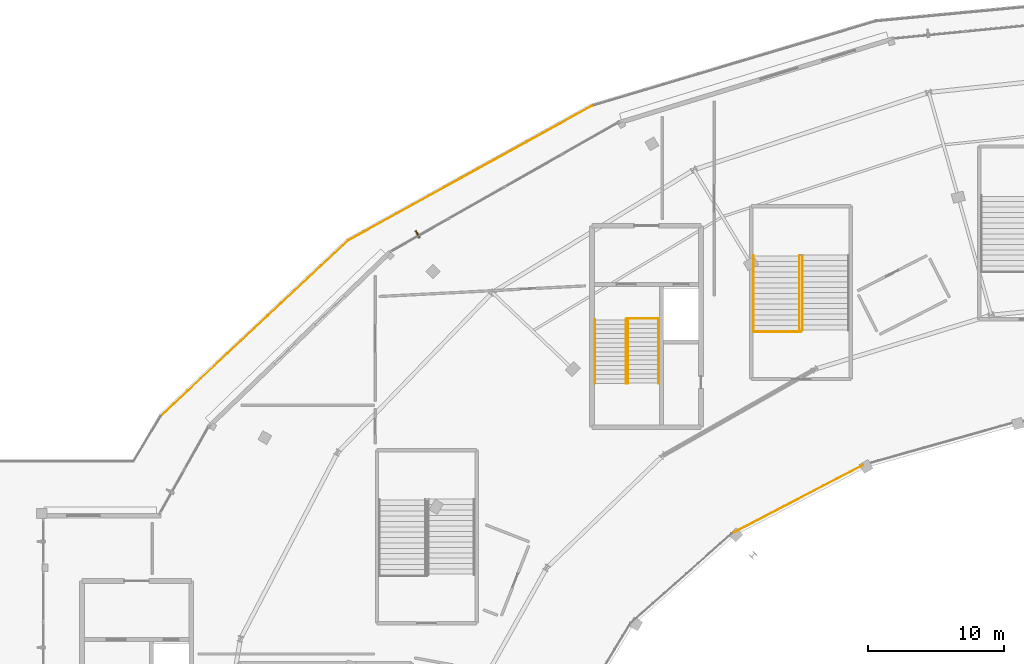
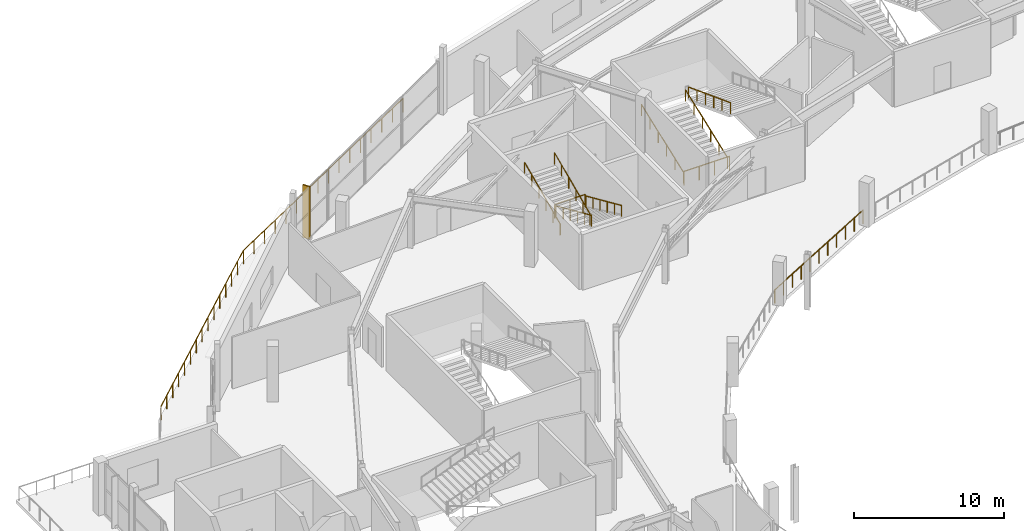
# One storey, part 113 of 123: 12 railings, 1 shading device.
"""IFC4 building model written with IfcOpenShell, lengths in metres."""

from ifc_helpers import new_model, si_unit, direction, frame, origin, origin_2d, place, context, subcontext, project, spatial, rectangle, circle, extrude, material, layer, layer_set, type_object, element, save


model = new_model("IFC4")

# Units and contexts
model_context = context("Model", 3, precision=1e-05, world=origin(), true_north=direction((0.0, 1.0)))
body_context = subcontext(model_context, "Body", "Model", "MODEL_VIEW")
ifc_project = project(units=[si_unit("LENGTHUNIT", "METRE"), si_unit("AREAUNIT", "SQUARE_METRE"), si_unit("VOLUMEUNIT", "CUBIC_METRE"), si_unit("PLANEANGLEUNIT", "RADIAN"), si_unit("MASSUNIT", "GRAM", prefix="KILO")], contexts=[model_context])

# Site, building, storey
site_placement = place(None, origin())
site = spatial("IfcSite", under=ifc_project, at=site_placement, CompositionType="ELEMENT")
building_placement = place(site_placement, origin())
building = spatial("IfcBuilding", under=site, at=building_placement, Name="Kalgoora Escarpment Arena", CompositionType="ELEMENT")
storey_placement = place(building_placement, frame((0.0, 0.0, 9.89990234375)))
storey = spatial("IfcBuildingStorey", under=building, at=storey_placement, Name="L02", CompositionType="ELEMENT", Elevation=9.89990234375)

# Railings
ifc_material_1 = material(Name="Galvanised & powdercoated tubular steel", Category="steel")
railing_type_1 = type_object("IfcRailingType", Name="RAL-GUARD-1120", PredefinedType="GUARDRAIL", material=ifc_material_1)
railing_1_placement = place(storey_placement, frame((53.889892578125, 102.389892578125, 0.0)))
element("IfcRailing", 1, at=railing_1_placement, inside=storey, type_object=railing_type_1, Name="ST03 L02 floor landing well guard", PredefinedType="GUARDRAIL", context=body_context, shape_type="SweptSolid", body=[
    extrude(circle(Radius=0.02392578125, at=origin_2d()), frame((0.0, 0.0, 1.09619140625), z_axis=(-1.0, 0.0, 0.0), x_axis=(0.0, -1.0, 0.0)), (0.0, 0.0, 1.0), 2.33984375),
    extrude(circle(Radius=0.02099609375, at=origin_2d()), origin(), (0.0, 0.0, 1.0), 1.072021484375),
    extrude(circle(Radius=0.02099609375, at=origin_2d()), frame((-1.169921875, 0.0, 0.0)), (0.0, 0.0, 1.0), 1.072021484375),
    extrude(circle(Radius=0.02099609375, at=origin_2d()), frame((-2.33984375, 0.0, 0.0)), (0.0, 0.0, 1.0), 1.072021484375),
])
railing_2_placement = place(storey_placement, frame((60.909912109375, 101.409912109375, 0.0)))
element("IfcRailing", 2, at=railing_2_placement, inside=storey, type_object=railing_type_1, Name="ST09 L02 floor landing well guard", PredefinedType="GUARDRAIL", context=body_context, shape_type="SweptSolid", body=[
    extrude(circle(Radius=0.02392578125, at=origin_2d()), frame((0.0, 0.0, 1.09619140625), z_axis=(1.0, 0.0, 0.0), x_axis=(0.0, 1.0, 0.0)), (0.0, 0.0, 1.0), 3.489990234375),
    extrude(circle(Radius=0.02099609375, at=origin_2d()), origin(), (0.0, 0.0, 1.0), 1.072021484375),
    extrude(circle(Radius=0.02099609375, at=origin_2d()), frame((1.163330078125, 0.0, 0.0)), (0.0, 0.0, 1.0), 1.072021484375),
    extrude(circle(Radius=0.02099609375, at=origin_2d()), frame((2.32666015625, 0.0, 0.0)), (0.0, 0.0, 1.0), 1.072021484375),
    extrude(circle(Radius=0.02099609375, at=origin_2d()), frame((3.489990234375, 0.0, 0.0)), (0.0, 0.0, 1.0), 1.072021484375),
])
railing_3_placement = place(storey_placement, frame((68.97509765625, 91.5830078125, 0.0)))
element("IfcRailing", 3, at=railing_3_placement, inside=storey, type_object=railing_type_1, Name="L02 concourse bowl balustrade 09", PredefinedType="GUARDRAIL", context=body_context, shape_type="SweptSolid", body=[
    extrude(circle(Radius=0.02392578125, at=origin_2d()), frame((0.0, 0.0, 1.09619140625), z_axis=(-0.886621438299, -0.462495865007, 0.0), x_axis=(0.462495865007, -0.886621438299, 0.0)), (0.0, 0.0, 1.0), 10.94384765625),
    extrude(circle(Radius=0.02099609375, at=origin_2d()), origin(), (0.0, 0.0, 1.0), 1.072021484375),
    extrude(circle(Radius=0.02099609375, at=origin_2d()), frame((-0.97021484375, -0.506103515625, 0.0)), (0.0, 0.0, 1.0), 1.072021484375),
    extrude(circle(Radius=0.02099609375, at=origin_2d()), frame((-1.940673828125, -1.01220703125, 0.0)), (0.0, 0.0, 1.0), 1.072021484375),
    extrude(circle(Radius=0.02099609375, at=origin_2d()), frame((-2.910888671875, -1.5185546875, 0.0)), (0.0, 0.0, 1.0), 1.072021484375),
    extrude(circle(Radius=0.02099609375, at=origin_2d()), frame((-3.88134765625, -2.024658203125, 0.0)), (0.0, 0.0, 1.0), 1.072021484375),
    extrude(circle(Radius=0.02099609375, at=origin_2d()), frame((-4.8515625, -2.53076171875, 0.0)), (0.0, 0.0, 1.0), 1.072021484375),
    extrude(circle(Radius=0.02099609375, at=origin_2d()), frame((-5.82177734375, -3.036865234375, 0.0)), (0.0, 0.0, 1.0), 1.072021484375),
    extrude(circle(Radius=0.02099609375, at=origin_2d()), frame((-6.792236328125, -3.54296875, 0.0)), (0.0, 0.0, 1.0), 1.072021484375),
    extrude(circle(Radius=0.02099609375, at=origin_2d()), frame((-7.762451171875, -4.04931640625, 0.0)), (0.0, 0.0, 1.0), 1.072021484375),
    extrude(circle(Radius=0.02099609375, at=origin_2d()), frame((-8.73291015625, -4.555419921875, 0.0)), (0.0, 0.0, 1.0), 1.072021484375),
    extrude(circle(Radius=0.02099609375, at=origin_2d()), frame((-9.703125, -5.0615234375, 0.0)), (0.0, 0.0, 1.0), 1.072021484375),
])
ifc_material_2 = material(Name="Brushed stainless steel 316 handrail", Category="steel")
railing_type_2 = type_object("IfcRailingType", Name="RAL-HAND-920", PredefinedType="HANDRAIL", material=ifc_material_2)
for number, where, name in (
    (4, (53.89990234375, 102.31005859375, 0.110107421875), "ST03 L02 pitched stair handrail F1L"),
    (5, (51.610107421875, 102.31005859375, 0.110107421875), "ST03 L02 pitched stair handrail F1R"),
):
    element("IfcRailing", number, at=place(storey_placement, frame(where)), inside=storey, type_object=railing_type_2, Name=name, PredefinedType="HANDRAIL", context=body_context, shape_type="SweptSolid", body=[
        extrude(circle(Radius=0.02392578125, at=origin_2d()), frame((0.0, 0.0, 0.89599609375), z_axis=(0.0, -0.913643874524, 0.406515523129), x_axis=(1.0, 0.0, 0.0)), (0.0, 0.0, 1.0), 5.166015625),
        extrude(circle(Radius=0.02099609375, at=origin_2d()), origin(), (0.0, 0.0, 1.0), 0.871826171875),
        extrude(circle(Radius=0.02099609375, at=origin_2d()), frame((0.0, -0.944091796875, 0.419921875)), (0.0, 0.0, 1.0), 0.871826171875),
        extrude(circle(Radius=0.02099609375, at=origin_2d()), frame((0.0, -1.887939453125, 0.840087890625)), (0.0, 0.0, 1.0), 0.871826171875),
        extrude(circle(Radius=0.02099609375, at=origin_2d()), frame((0.0, -2.83203125, 1.260009765625)), (0.0, 0.0, 1.0), 0.871826171875),
        extrude(circle(Radius=0.02099609375, at=origin_2d()), frame((0.0, -3.77587890625, 1.68017578125)), (0.0, 0.0, 1.0), 0.871826171875),
        extrude(circle(Radius=0.02099609375, at=origin_2d()), frame((0.0, -4.719970703125, 2.10009765625)), (0.0, 0.0, 1.0), 0.871826171875),
    ])
for number, where, name in (
    (6, (51.489990234375, 97.590087890625, 2.360107421875), "ST03 L02 pitched stair handrail F2L"),
    (7, (49.199951171875, 97.590087890625, 2.360107421875), "ST03 L02 pitched stair handrail F2R"),
):
    element("IfcRailing", number, at=place(storey_placement, frame(where)), inside=storey, type_object=railing_type_2, Name=name, PredefinedType="HANDRAIL", context=body_context, shape_type="SweptSolid", body=[
        extrude(circle(Radius=0.02392578125, at=origin_2d()), frame((0.0, 0.0, 0.89599609375), z_axis=(0.0, 0.913643874524, 0.406515523129), x_axis=(-1.0, 0.0, 0.0)), (0.0, 0.0, 1.0), 5.166015625),
        extrude(circle(Radius=0.02099609375, at=origin_2d()), origin(), (0.0, 0.0, 1.0), 0.871826171875),
        extrude(circle(Radius=0.02099609375, at=origin_2d()), frame((0.0, 0.944091796875, 0.419921875)), (0.0, 0.0, 1.0), 0.871826171875),
        extrude(circle(Radius=0.02099609375, at=origin_2d()), frame((0.0, 1.887939453125, 0.840087890625)), (0.0, 0.0, 1.0), 0.871826171875),
        extrude(circle(Radius=0.02099609375, at=origin_2d()), frame((0.0, 2.83203125, 1.260009765625)), (0.0, 0.0, 1.0), 0.871826171875),
        extrude(circle(Radius=0.02099609375, at=origin_2d()), frame((0.0, 3.77587890625, 1.68017578125)), (0.0, 0.0, 1.0), 0.871826171875),
        extrude(circle(Radius=0.02099609375, at=origin_2d()), frame((0.0, 4.719970703125, 2.10009765625)), (0.0, 0.0, 1.0), 0.871826171875),
    ])
for number, where, name in (
    (8, (60.89990234375, 101.489990234375, 0.110107421875), "ST09 L02 pitched stair handrail F1L"),
    (9, (64.284912109375, 101.489990234375, 0.110107421875), "ST09 L02 pitched stair handrail F1R"),
):
    element("IfcRailing", number, at=place(storey_placement, frame(where)), inside=storey, type_object=railing_type_2, Name=name, PredefinedType="HANDRAIL", context=body_context, shape_type="SweptSolid", body=[
        extrude(circle(Radius=0.02392578125, at=origin_2d()), frame((0.0, 0.0, 0.89599609375), z_axis=(0.0, 0.935492612948, 0.353346248203), x_axis=(-1.0, 0.0, 0.0)), (0.0, 0.0, 1.0), 5.943359375),
        extrude(circle(Radius=0.02099609375, at=origin_2d()), origin(), (0.0, 0.0, 1.0), 0.871826171875),
        extrude(circle(Radius=0.02099609375, at=origin_2d()), frame((0.0, 1.112060546875, 0.419921875)), (0.0, 0.0, 1.0), 0.871826171875),
        extrude(circle(Radius=0.02099609375, at=origin_2d()), frame((0.0, 2.22412109375, 0.840087890625)), (0.0, 0.0, 1.0), 0.871826171875),
        extrude(circle(Radius=0.02099609375, at=origin_2d()), frame((0.0, 3.3359375, 1.260009765625)), (0.0, 0.0, 1.0), 0.871826171875),
        extrude(circle(Radius=0.02099609375, at=origin_2d()), frame((0.0, 4.447998046875, 1.68017578125)), (0.0, 0.0, 1.0), 0.871826171875),
        extrude(circle(Radius=0.02099609375, at=origin_2d()), frame((0.0, 5.56005859375, 2.10009765625)), (0.0, 0.0, 1.0), 0.871826171875),
    ])
railing_4_placement = place(storey_placement, frame((64.514892578125, 107.050048828125, 2.360107421875)))
element("IfcRailing", 10, at=railing_4_placement, inside=storey, type_object=railing_type_2, Name="ST09 L02 pitched stair handrail F2L", PredefinedType="HANDRAIL", context=body_context, shape_type="SweptSolid", body=[
    extrude(circle(Radius=0.02392578125, at=origin_2d()), frame((0.0, 0.0, 0.89599609375), z_axis=(0.0, -0.935492612948, 0.353346248203), x_axis=(1.0, 0.0, 0.0)), (0.0, 0.0, 1.0), 5.943359375),
    extrude(circle(Radius=0.02099609375, at=origin_2d()), origin(), (0.0, 0.0, 1.0), 0.871826171875),
    extrude(circle(Radius=0.02099609375, at=origin_2d()), frame((0.0, -1.112060546875, 0.419921875)), (0.0, 0.0, 1.0), 0.871826171875),
    extrude(circle(Radius=0.02099609375, at=origin_2d()), frame((0.0, -2.22412109375, 0.840087890625)), (0.0, 0.0, 1.0), 0.871826171875),
    extrude(circle(Radius=0.02099609375, at=origin_2d()), frame((0.0, -3.3359375, 1.260009765625)), (0.0, 0.0, 1.0), 0.871826171875),
    extrude(circle(Radius=0.02099609375, at=origin_2d()), frame((0.0, -4.447998046875, 1.68017578125)), (0.0, 0.0, 1.0), 0.871826171875),
    extrude(circle(Radius=0.02099609375, at=origin_2d()), frame((0.0, -5.56005859375, 2.10009765625)), (0.0, 0.0, 1.0), 0.871826171875),
])
ifc_material_3 = material(Name="Champagne anodised aluminium & laminated glass", Category="aluminium")
railing_type_3 = type_object("IfcRailingType", Name="RAL-TERR-1100", PredefinedType="GUARDRAIL", material=ifc_material_3)
railing_5_placement = place(storey_placement, frame((17.1826171875, 95.19970703125, 0.0)))
element("IfcRailing", 11, at=railing_5_placement, inside=storey, type_object=railing_type_3, Name="Middle Planted Elliptical Garden Promenade perimeter guardrail 010", PredefinedType="GUARDRAIL", context=body_context, shape_type="SweptSolid", body=[
    extrude(circle(Radius=0.02392578125, at=origin_2d()), frame((0.0, 0.0, 1.09619140625), z_axis=(0.729458285246, 0.684025299303, 0.0), x_axis=(-0.684025299303, 0.729458285246, 0.0)), (0.0, 0.0, 1.0), 18.909912109375),
    extrude(circle(Radius=0.02099609375, at=origin_2d()), origin(), (0.0, 0.0, 1.0), 1.072021484375),
    extrude(circle(Radius=0.02099609375, at=origin_2d()), frame((0.9853515625, 0.923828125, 0.0)), (0.0, 0.0, 1.0), 1.072021484375),
    extrude(circle(Radius=0.02099609375, at=origin_2d()), frame((1.970458984375, 1.847900390625, 0.0)), (0.0, 0.0, 1.0), 1.072021484375),
    extrude(circle(Radius=0.02099609375, at=origin_2d()), frame((2.955810546875, 2.771728515625, 0.0)), (0.0, 0.0, 1.0), 1.072021484375),
    extrude(circle(Radius=0.02099609375, at=origin_2d()), frame((3.941162109375, 3.695556640625, 0.0)), (0.0, 0.0, 1.0), 1.072021484375),
    extrude(circle(Radius=0.02099609375, at=origin_2d()), frame((4.926513671875, 4.61962890625, 0.0)), (0.0, 0.0, 1.0), 1.072021484375),
    extrude(circle(Radius=0.02099609375, at=origin_2d()), frame((5.91162109375, 5.54345703125, 0.0)), (0.0, 0.0, 1.0), 1.072021484375),
    extrude(circle(Radius=0.02099609375, at=origin_2d()), frame((6.89697265625, 6.46728515625, 0.0)), (0.0, 0.0, 1.0), 1.072021484375),
    extrude(circle(Radius=0.02099609375, at=origin_2d()), frame((7.88232421875, 7.391357421875, 0.0)), (0.0, 0.0, 1.0), 1.072021484375),
    extrude(circle(Radius=0.02099609375, at=origin_2d()), frame((8.867431640625, 8.315185546875, 0.0)), (0.0, 0.0, 1.0), 1.072021484375),
    extrude(circle(Radius=0.02099609375, at=origin_2d()), frame((9.852783203125, 9.2392578125, 0.0)), (0.0, 0.0, 1.0), 1.072021484375),
    extrude(circle(Radius=0.02099609375, at=origin_2d()), frame((10.838134765625, 10.1630859375, 0.0)), (0.0, 0.0, 1.0), 1.072021484375),
    extrude(circle(Radius=0.02099609375, at=origin_2d()), frame((11.823486328125, 11.0869140625, 0.0)), (0.0, 0.0, 1.0), 1.072021484375),
    extrude(circle(Radius=0.02099609375, at=origin_2d()), frame((12.80859375, 12.010986328125, 0.0)), (0.0, 0.0, 1.0), 1.072021484375),
    extrude(circle(Radius=0.02099609375, at=origin_2d()), frame((13.7939453125, 12.934814453125, 0.0)), (0.0, 0.0, 1.0), 1.072021484375),
])
railing_6_placement = place(storey_placement, frame((30.9765625, 108.134521484375, 0.0)))
element("IfcRailing", 12, at=railing_6_placement, inside=storey, type_object=railing_type_3, Name="Middle Planted Elliptical Garden Promenade perimeter guardrail 011", PredefinedType="GUARDRAIL", context=body_context, shape_type="SweptSolid", body=[
    extrude(circle(Radius=0.02392578125, at=origin_2d()), frame((0.0, 0.0, 1.09619140625), z_axis=(0.875431707903, 0.483341830176, 0.0), x_axis=(-0.483341830176, 0.875431707903, 0.0)), (0.0, 0.0, 1.0), 20.544921875),
    extrude(circle(Radius=0.02099609375, at=origin_2d()), origin(), (0.0, 0.0, 1.0), 1.072021484375),
    extrude(circle(Radius=0.02099609375, at=origin_2d()), frame((1.198974609375, 0.662109375, 0.0)), (0.0, 0.0, 1.0), 1.072021484375),
    extrude(circle(Radius=0.02099609375, at=origin_2d()), frame((2.398193359375, 1.323974609375, 0.0)), (0.0, 0.0, 1.0), 1.072021484375),
    extrude(circle(Radius=0.02099609375, at=origin_2d()), frame((3.59716796875, 1.986083984375, 0.0)), (0.0, 0.0, 1.0), 1.072021484375),
    extrude(circle(Radius=0.02099609375, at=origin_2d()), frame((4.796142578125, 2.64794921875, 0.0)), (0.0, 0.0, 1.0), 1.072021484375),
    extrude(circle(Radius=0.02099609375, at=origin_2d()), frame((5.9951171875, 3.31005859375, 0.0)), (0.0, 0.0, 1.0), 1.072021484375),
    extrude(circle(Radius=0.02099609375, at=origin_2d()), frame((7.1943359375, 3.97216796875, 0.0)), (0.0, 0.0, 1.0), 1.072021484375),
    extrude(circle(Radius=0.02099609375, at=origin_2d()), frame((8.393310546875, 4.634033203125, 0.0)), (0.0, 0.0, 1.0), 1.072021484375),
    extrude(circle(Radius=0.02099609375, at=origin_2d()), frame((9.59228515625, 5.296142578125, 0.0)), (0.0, 0.0, 1.0), 1.072021484375),
    extrude(circle(Radius=0.02099609375, at=origin_2d()), frame((10.791259765625, 5.9580078125, 0.0)), (0.0, 0.0, 1.0), 1.072021484375),
    extrude(circle(Radius=0.02099609375, at=origin_2d()), frame((11.990478515625, 6.6201171875, 0.0)), (0.0, 0.0, 1.0), 1.072021484375),
    extrude(circle(Radius=0.02099609375, at=origin_2d()), frame((13.189453125, 7.2822265625, 0.0)), (0.0, 0.0, 1.0), 1.072021484375),
    extrude(circle(Radius=0.02099609375, at=origin_2d()), frame((14.388427734375, 7.944091796875, 0.0)), (0.0, 0.0, 1.0), 1.072021484375),
    extrude(circle(Radius=0.02099609375, at=origin_2d()), frame((15.58740234375, 8.606201171875, 0.0)), (0.0, 0.0, 1.0), 1.072021484375),
    extrude(circle(Radius=0.02099609375, at=origin_2d()), frame((16.78662109375, 9.26806640625, 0.0)), (0.0, 0.0, 1.0), 1.072021484375),
    extrude(circle(Radius=0.02099609375, at=origin_2d()), frame((17.985595703125, 9.93017578125, 0.0)), (0.0, 0.0, 1.0), 1.072021484375),
])

# Shading device
ifc_material_4 = material(Name="Champagne anodised extruded aluminium", Category="aluminium")
ifc_layer = layer(ifc_material_4, 0.080078125)
ifc_layer_set = layer_set([ifc_layer], Name="SHD-FIN-CHAMP")
shading_device_type = type_object("IfcShadingDeviceType", Name="SHD-FIN-CHAMP", PredefinedType="USERDEFINED", material=ifc_layer_set)
shading_device_placement = place(storey_placement, frame((36.105712890625, 108.622314453125, 0.0), z_axis=(0.0, 0.0, 1.0), x_axis=(-0.493334724289, 0.869839554062, 0.0)))
element("IfcShadingDevice", 13, at=shading_device_placement, inside=storey, type_object=shading_device_type, Name="L02 champagne anodised solar fin 17", ObjectType="FIN", PredefinedType="USERDEFINED", context=body_context, shape_type="SweptSolid", body=[
    extrude(rectangle(XDim=0.56005859375, YDim=0.10009765625, at=origin_2d()), origin(), (0.0, 0.0, 1.0), 4.264892578125),
])

save(model, "model.ifc")
